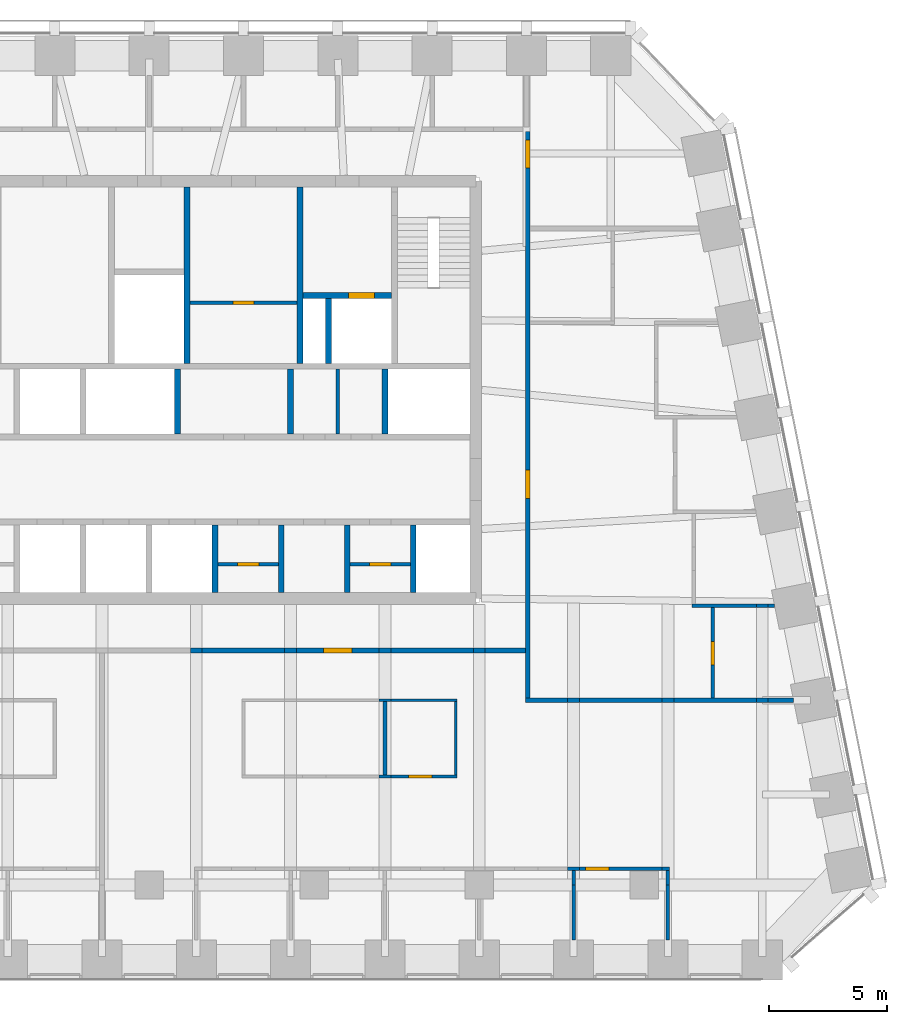
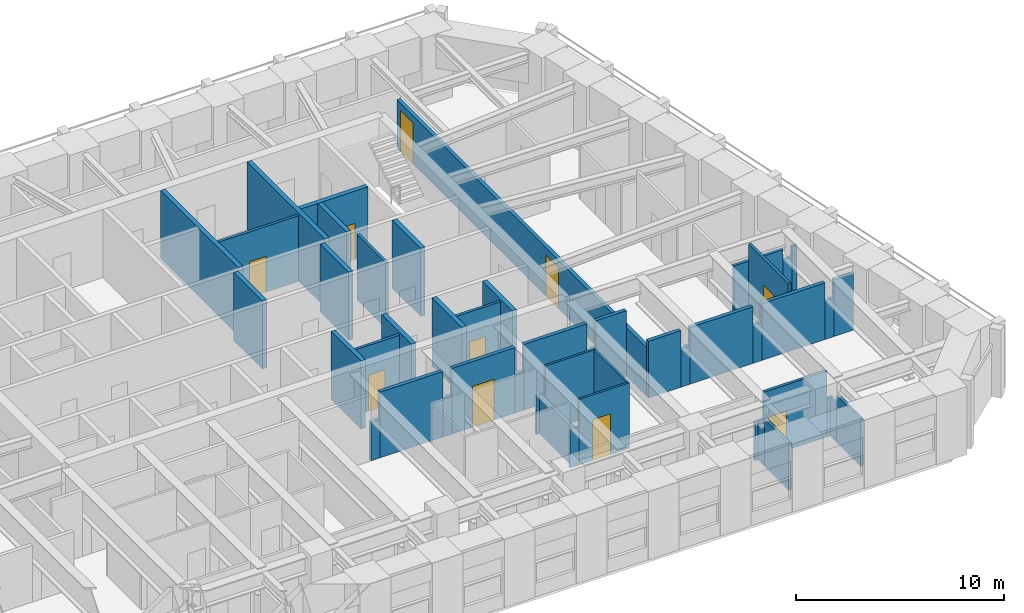
# One storey, part 8 of 13: 48 walls, 10 doors, 10 openings.
"""IFC4 building model written with IfcOpenShell, lengths in metres."""

from ifc_helpers import new_model, si_unit, direction, frame, frame_2d, origin, place, context, subcontext, project, spatial, rectangle, extrude, material, layer, layer_set, type_object, element, fill, save


model = new_model("IFC4")

# Units and contexts
model_context = context("Model", 3, precision=1e-05, world=origin(), true_north=direction((0.0, 1.0)))
body_context = subcontext(model_context, "Body", "Model", "MODEL_VIEW")
ifc_project = project(units=[si_unit("LENGTHUNIT", "METRE"), si_unit("AREAUNIT", "SQUARE_METRE"), si_unit("VOLUMEUNIT", "CUBIC_METRE"), si_unit("PLANEANGLEUNIT", "RADIAN"), si_unit("MASSUNIT", "GRAM", prefix="KILO")], contexts=[model_context])

# Site, building, storey
site_placement = place(None, origin())
site = spatial("IfcSite", under=ifc_project, at=site_placement, CompositionType="ELEMENT")
building_placement = place(site_placement, origin())
building = spatial("IfcBuilding", under=site, at=building_placement, Name="Isbrekke Arena Tower", CompositionType="ELEMENT")
storey_placement = place(building_placement, frame((0.0, 0.0, 280.0)))
storey = spatial("IfcBuildingStorey", under=building, at=storey_placement, Name="L65", CompositionType="ELEMENT", Elevation=280.0)

# Walls
ifc_material_1 = material(Name="Concrete B45 (C45/55)", Category="concrete")
ifc_layer_1 = layer(ifc_material_1, 0.25)
ifc_layer_set_1 = layer_set([ifc_layer_1], Name="CW6 SHAFT WALL 250")
wall_type_1 = type_object("IfcWallType", Name="CW6 SHAFT WALL 250", PredefinedType="SHEAR", material=ifc_layer_set_1)
for number, where, z_axis, x_axis, name in (
    (1, (2.800048828125, 6.39990234375, 0.0), (0.0, 0.0, 1.0), (0.0, 1.0, 0.0), "Core wall SS06 L65"),
    (2, (5.60009765625, 6.39990234375, 0.0), (0.0, 0.0, 1.0), (0.0, 1.0, 0.0), "Core wall SS07 L65"),
    (3, (8.39990234375, 6.39990234375, 0.0), (0.0, 0.0, 1.0), (0.0, 1.0, 0.0), "Core wall SS08 L65"),
    (4, (11.199951171875, 6.39990234375, 0.0), (0.0, 0.0, 1.0), (0.0, 1.0, 0.0), "Core wall SS09 L65"),
):
    element("IfcWall", number, at=place(storey_placement, frame(where, z_axis=z_axis, x_axis=x_axis)), inside=storey, type_object=wall_type_1, Name=name, PredefinedType="SHEAR", context=body_context, shape_type="SweptSolid", body=[
        extrude(rectangle(XDim=2.875, YDim=0.25, at=frame_2d((1.4375, 0.0))), origin(), (0.0, 0.0, 1.0), 4.0),
    ])
for number, where, z_axis, x_axis, name in (
    (5, (1.199951171875, 13.125, 0.0), (0.0, 0.0, 1.0), (0.0, 1.0, 0.0), "Core wall SN05 L65"),
    (6, (6.0, 13.125, 0.0), (0.0, 0.0, 1.0), (0.0, 1.0, 0.0), "Core wall SN06 L65"),
    (7, (10.0, 13.125, 0.0), (0.0, 0.0, 1.0), (0.0, 1.0, 0.0), "Core wall SN07 L65"),
):
    element("IfcWall", number, at=place(storey_placement, frame(where, z_axis=z_axis, x_axis=x_axis)), inside=storey, type_object=wall_type_1, Name=name, PredefinedType="SHEAR", context=body_context, shape_type="SweptSolid", body=[
        extrude(rectangle(XDim=2.75, YDim=0.25, at=frame_2d((1.375, 0.0))), origin(), (0.0, 0.0, 1.0), 4.0),
    ])
for number, where, z_axis, x_axis, name in (
    (8, (1.60009765625, 16.125, 0.0), (0.0, 0.0, 1.0), (0.0, 1.0, 0.0), "Core wall NV04 L65"),
    (9, (6.39990234375, 16.125, 0.0), (0.0, 0.0, 1.0), (0.0, 1.0, 0.0), "Core wall NV05 L65"),
):
    element("IfcWall", number, at=place(storey_placement, frame(where, z_axis=z_axis, x_axis=x_axis)), inside=storey, type_object=wall_type_1, Name=name, PredefinedType="SHEAR", context=body_context, shape_type="SweptSolid", body=[
        extrude(rectangle(XDim=7.47509765625, YDim=0.25, at=frame_2d((3.737548828125, 0.0))), origin(), (0.0, 0.0, 1.0), 4.0),
    ])

# Wall, opening, door
wall_1_placement = place(storey_placement, frame((6.52490234375, 19.0, 0.0), z_axis=(0.0, 0.0, 1.0), x_axis=(1.0, 0.0, 0.0)))
wall_1 = element("IfcWall", 10, at=wall_1_placement, inside=storey, type_object=wall_type_1, Name="Core wall NFE L65", PredefinedType="SHEAR", context=body_context, shape_type="SweptSolid", body=[
    extrude(rectangle(XDim=3.75, YDim=0.25, at=frame_2d((1.875, 0.0))), origin(), (0.0, 0.0, 1.0), 4.0),
])
opening_1_placement = place(wall_1_placement, frame((1.925048828125, 0.0, 0.0)))
opening_1 = element("IfcOpeningElement", 11, at=opening_1_placement, cuts=wall_1, Name="Opening LD2", PredefinedType="OPENING", context=body_context, shape_type="SweptSolid", body=[
    extrude(rectangle(XDim=1.10009765625, YDim=2.10009765625, at=frame_2d((0.550048828125, 1.050048828125))), frame((0.0, 0.139892578125, 0.0), z_axis=(0.0, -1.0, 0.0), x_axis=(1.0, 0.0, 0.0)), (0.0, 0.0, 1.0), 0.27978515625),
])
ifc_material_2 = material(Name="Stainless steel lift landing door", Category="steel")
door_type_1 = type_object("IfcDoorType", Name="LD2 FIRE-FIGHTING LIFT LANDING DOOR 1100 x 2100", OperationType="SLIDING_TO_RIGHT", PredefinedType="DOOR", material=ifc_material_2)
door_1_placement = place(opening_1_placement, origin())
door_1 = element("IfcDoor", 12, at=door_1_placement, inside=storey, type_object=door_type_1, Name="LD2 lift landing door LF L65", OperationType="SLIDING_TO_RIGHT", OverallHeight=2.10009765625, OverallWidth=1.10009765625, PredefinedType="DOOR", context=body_context, shape_type="SweptSolid", body=[
    extrude(rectangle(XDim=1.10009765625, YDim=2.10009765625, at=frame_2d((0.550048828125, 1.050048828125))), frame((0.0, 0.124755859375, 0.0), z_axis=(0.0, -1.0, 0.0), x_axis=(1.0, 0.0, 0.0)), (0.0, 0.0, 1.0), 0.24951171875),
])
fill(opening_1, door_1)

# Walls
wall_2_placement = place(storey_placement, frame((7.60009765625, 16.125, 0.0), z_axis=(0.0, 0.0, 1.0), x_axis=(0.0, 1.0, 0.0)))
element("IfcWall", 13, at=wall_2_placement, inside=storey, type_object=wall_type_1, Name="Core wall NFS2 L65", PredefinedType="SHEAR", context=body_context, shape_type="SweptSolid", body=[
    extrude(rectangle(XDim=2.75, YDim=0.25, at=frame_2d((1.375, 0.0))), origin(), (0.0, 0.0, 1.0), 4.0),
])
ifc_material_3 = material(Name="Gypsum board partition on steel studs", Category="steel")
ifc_layer_2 = layer(ifc_material_3, 0.14990234375)
ifc_layer_set_2 = layer_set([ifc_layer_2], Name="IW1 PARTITION 150")
wall_type_2 = type_object("IfcWallType", Name="IW1 PARTITION 150", PredefinedType="PARTITIONING", material=ifc_layer_set_2)
wall_3_placement = place(storey_placement, frame((17.75, -5.300048828125, 0.0), z_axis=(0.0, 0.0, 1.0), x_axis=(1.0, 0.0, 0.0)))
element("IfcWall", 14, at=wall_3_placement, inside=storey, type_object=wall_type_2, Name="IW1 partition 150 L65", PredefinedType="PARTITIONING", context=body_context, shape_type="SweptSolid", body=[
    extrude(rectangle(XDim=0.5, YDim=0.14990234375, at=frame_2d((0.25, 0.0))), origin(), (0.0, 0.0, 1.0), 2.25),
])

# Wall, opening, door
wall_4_placement = place(storey_placement, frame((18.25, -5.300048828125, 0.0), z_axis=(0.0, 0.0, 1.0), x_axis=(1.0, 0.0, 0.0)))
wall_4 = element("IfcWall", 15, at=wall_4_placement, inside=storey, type_object=wall_type_2, Name="IW1 partition 150 L65", PredefinedType="PARTITIONING", context=body_context, shape_type="SweptSolid", body=[
    extrude(rectangle(XDim=3.5, YDim=0.14990234375, at=frame_2d((1.75, 0.0))), origin(), (0.0, 0.0, 1.0), 3.85009765625),
])
opening_2_placement = place(wall_4_placement, frame((0.25, 0.0, 0.0)))
opening_2 = element("IfcOpeningElement", 16, at=opening_2_placement, cuts=wall_4, Name="Opening D10", PredefinedType="OPENING", context=body_context, shape_type="SweptSolid", body=[
    extrude(rectangle(XDim=1.0, YDim=2.300048828125, at=frame_2d((0.5, 1.14990234375))), frame((0.0, 0.08984375, 0.0), z_axis=(0.0, -1.0, 0.0), x_axis=(1.0, 0.0, 0.0)), (0.0, 0.0, 1.0), 0.1796875),
])
ifc_material_4 = material(Name="Timber door", Category="wood")
door_type_2 = type_object("IfcDoorType", Name="D10 OFFICE DOOR 1000 x 2300", OperationType="SINGLE_SWING_LEFT", PredefinedType="DOOR", material=ifc_material_4)
door_2_placement = place(opening_2_placement, origin())
door_2 = element("IfcDoor", 17, at=door_2_placement, inside=storey, type_object=door_type_2, Name="D10 office door L65", OperationType="SINGLE_SWING_LEFT", OverallHeight=2.300048828125, OverallWidth=1.0, PredefinedType="DOOR", context=body_context, shape_type="SweptSolid", body=[
    extrude(rectangle(XDim=1.0, YDim=2.300048828125, at=frame_2d((0.5, 1.14990234375))), frame((0.0, 0.07470703125, 0.0), z_axis=(0.0, -1.0, 0.0), x_axis=(1.0, 0.0, 0.0)), (0.0, 0.0, 1.0), 0.1494140625),
])
fill(opening_2, door_2)

# Walls
wall_5_placement = place(storey_placement, frame((21.75, -5.300048828125, 0.0), z_axis=(0.0, 0.0, 1.0), x_axis=(1.0, 0.0, 0.0)))
element("IfcWall", 18, at=wall_5_placement, inside=storey, type_object=wall_type_2, Name="IW1 partition 150 L65", PredefinedType="PARTITIONING", context=body_context, shape_type="SweptSolid", body=[
    extrude(rectangle(XDim=0.324951171875, YDim=0.14990234375, at=frame_2d((0.16259765625, 0.0))), origin(), (0.0, 0.0, 1.0), 2.25),
])
wall_6_placement = place(storey_placement, frame((23.02490234375, 5.840087890625, 0.0), z_axis=(0.0, 0.0, 1.0), x_axis=(1.0, 0.0, 0.0)))
element("IfcWall", 19, at=wall_6_placement, inside=storey, type_object=wall_type_2, Name="IW1 partition 150 L65", PredefinedType="PARTITIONING", context=body_context, shape_type="SweptSolid", body=[
    extrude(rectangle(XDim=2.72509765625, YDim=0.14990234375, at=frame_2d((1.362548828125, 0.0))), origin(), (0.0, 0.0, 1.0), 2.842041015625),
])
wall_7_placement = place(storey_placement, frame((25.75, 5.840087890625, 0.0), z_axis=(0.0, 0.0, 1.0), x_axis=(1.0, 0.0, 0.0)))
element("IfcWall", 20, at=wall_7_placement, inside=storey, type_object=wall_type_2, Name="IW1 partition 150 L65", PredefinedType="PARTITIONING", context=body_context, shape_type="SweptSolid", body=[
    extrude(rectangle(XDim=0.5, YDim=0.14990234375, at=frame_2d((0.25, 0.0))), origin(), (0.0, 0.0, 1.0), 2.25),
])
wall_8_placement = place(storey_placement, frame((26.25, 5.840087890625, 0.0), z_axis=(0.0, 0.0, 1.0), x_axis=(1.0, 0.0, 0.0)))
element("IfcWall", 21, at=wall_8_placement, inside=storey, type_object=wall_type_2, Name="IW1 partition 150 L65", PredefinedType="PARTITIONING", context=body_context, shape_type="SweptSolid", body=[
    extrude(rectangle(XDim=0.273681640625, YDim=0.14990234375, at=frame_2d((0.13671875, 0.0))), origin(), (0.0, 0.0, 1.0), 2.842041015625),
])
wall_9_placement = place(storey_placement, frame((18.0, -8.324951171875, 0.0), z_axis=(0.0, 0.0, 1.0), x_axis=(0.0, 1.0, 0.0)))
element("IfcWall", 22, at=wall_9_placement, inside=storey, type_object=wall_type_2, Name="IW1 partition 150 L65", PredefinedType="PARTITIONING", context=body_context, shape_type="SweptSolid", body=[
    extrude(rectangle(XDim=2.324951171875, YDim=0.14990234375, at=frame_2d((1.16259765625, 0.0))), origin(), (0.0, 0.0, 1.0), 2.75),
])
wall_10_placement = place(storey_placement, frame((18.0, -6.0, 0.0), z_axis=(0.0, 0.0, 1.0), x_axis=(0.0, 1.0, 0.0)))
element("IfcWall", 23, at=wall_10_placement, inside=storey, type_object=wall_type_2, Name="IW1 partition 150 L65", PredefinedType="PARTITIONING", context=body_context, shape_type="SweptSolid", body=[
    extrude(rectangle(XDim=0.625, YDim=0.14990234375, at=frame_2d((0.3125, 0.0))), origin(), (0.0, 0.0, 1.0), 2.25),
])
wall_11_placement = place(storey_placement, frame((22.0, -8.324951171875, 0.0), z_axis=(0.0, 0.0, 1.0), x_axis=(0.0, 1.0, 0.0)))
element("IfcWall", 24, at=wall_11_placement, inside=storey, type_object=wall_type_2, Name="IW1 partition 150 L65", PredefinedType="PARTITIONING", context=body_context, shape_type="SweptSolid", body=[
    extrude(rectangle(XDim=2.324951171875, YDim=0.14990234375, at=frame_2d((1.16259765625, 0.0))), origin(), (0.0, 0.0, 1.0), 2.75),
])
wall_12_placement = place(storey_placement, frame((22.0, -6.0, 0.0), z_axis=(0.0, 0.0, 1.0), x_axis=(0.0, 1.0, 0.0)))
element("IfcWall", 25, at=wall_12_placement, inside=storey, type_object=wall_type_2, Name="IW1 partition 150 L65", PredefinedType="PARTITIONING", context=body_context, shape_type="SweptSolid", body=[
    extrude(rectangle(XDim=0.625, YDim=0.14990234375, at=frame_2d((0.3125, 0.0))), origin(), (0.0, 0.0, 1.0), 2.25),
])

# Wall, opening, door
wall_13_placement = place(storey_placement, frame((23.89990234375, 1.93994140625, 0.0), z_axis=(0.0, 0.0, 1.0), x_axis=(0.0, 1.0, 0.0)))
wall_13 = element("IfcWall", 26, at=wall_13_placement, inside=storey, type_object=wall_type_2, Name="IW1 partition 150 L65", PredefinedType="PARTITIONING", context=body_context, shape_type="SweptSolid", body=[
    extrude(rectangle(XDim=3.824951171875, YDim=0.14990234375, at=frame_2d((1.91259765625, 0.0))), origin(), (0.0, 0.0, 1.0), 3.85009765625),
])
opening_3_placement = place(wall_13_placement, frame((1.39990234375, 0.0, 0.0)))
opening_3 = element("IfcOpeningElement", 27, at=opening_3_placement, cuts=wall_13, Name="Opening D10", PredefinedType="OPENING", context=body_context, shape_type="SweptSolid", body=[
    extrude(rectangle(XDim=1.0, YDim=2.300048828125, at=frame_2d((0.5, 1.14990234375))), frame((0.0, 0.08984375, 0.0), z_axis=(0.0, -1.0, 0.0), x_axis=(1.0, 0.0, 0.0)), (0.0, 0.0, 1.0), 0.1796875),
])
door_3_placement = place(opening_3_placement, origin())
door_3 = element("IfcDoor", 28, at=door_3_placement, inside=storey, type_object=door_type_2, Name="D10 office door L65", OperationType="SINGLE_SWING_LEFT", OverallHeight=2.300048828125, OverallWidth=1.0, PredefinedType="DOOR", context=body_context, shape_type="SweptSolid", body=[
    extrude(rectangle(XDim=1.0, YDim=2.300048828125, at=frame_2d((0.5, 1.14990234375))), frame((0.0, 0.07470703125, 0.0), z_axis=(0.0, -1.0, 0.0), x_axis=(1.0, 0.0, 0.0)), (0.0, 0.0, 1.0), 0.1494140625),
])
fill(opening_3, door_3)

# Wall
ifc_material_5 = material(Name="Frameless glazed partition, laminated acoustic glass", Category="glass")
ifc_layer_3 = layer(ifc_material_5, 0.1201171875)
ifc_layer_set_3 = layer_set([ifc_layer_3], Name="IW2 GLAZED PARTITION 120")
wall_type_3 = type_object("IfcWallType", Name="IW2 GLAZED PARTITION 120", PredefinedType="PARTITIONING", material=ifc_layer_set_3)
wall_14_placement = place(storey_placement, frame((9.75, -1.39990234375, 0.0), z_axis=(0.0, 0.0, 1.0), x_axis=(1.0, 0.0, 0.0)))
element("IfcWall", 29, at=wall_14_placement, inside=storey, type_object=wall_type_3, Name="IW2 glazed partition 120 L65", PredefinedType="PARTITIONING", context=body_context, shape_type="SweptSolid", body=[
    extrude(rectangle(XDim=0.5, YDim=0.1201171875, at=frame_2d((0.25, 0.0))), origin(), (0.0, 0.0, 1.0), 2.25),
])

# Wall, opening, door
wall_15_placement = place(storey_placement, frame((10.25, -1.39990234375, 0.0), z_axis=(0.0, 0.0, 1.0), x_axis=(1.0, 0.0, 0.0)))
wall_15 = element("IfcWall", 30, at=wall_15_placement, inside=storey, type_object=wall_type_3, Name="IW2 glazed partition 120 L65", PredefinedType="PARTITIONING", context=body_context, shape_type="SweptSolid", body=[
    extrude(rectangle(XDim=2.81005859375, YDim=0.1201171875, at=frame_2d((1.405029296875, 0.0))), origin(), (0.0, 0.0, 1.0), 3.85009765625),
])
opening_4_placement = place(wall_15_placement, frame((0.75, 0.0, 0.0)))
opening_4 = element("IfcOpeningElement", 31, at=opening_4_placement, cuts=wall_15, Name="Opening D11", PredefinedType="OPENING", context=body_context, shape_type="SweptSolid", body=[
    extrude(rectangle(XDim=1.0, YDim=2.39990234375, at=frame_2d((0.5, 1.199951171875))), frame((0.0, 0.074951171875, 0.0), z_axis=(0.0, -1.0, 0.0), x_axis=(1.0, 0.0, 0.0)), (0.0, 0.0, 1.0), 0.14990234375),
])
ifc_material_6 = material(Name="Frameless glazed door", Category="glass")
door_type_3 = type_object("IfcDoorType", Name="D11 GLAZED MEETING ROOM DOOR 1000 x 2400", OperationType="SINGLE_SWING_RIGHT", PredefinedType="DOOR", material=ifc_material_6)
door_4_placement = place(opening_4_placement, origin())
door_4 = element("IfcDoor", 32, at=door_4_placement, inside=storey, type_object=door_type_3, Name="D11 quiet room door L65", OperationType="SINGLE_SWING_RIGHT", OverallHeight=2.39990234375, OverallWidth=1.0, PredefinedType="DOOR", context=body_context, shape_type="SweptSolid", body=[
    extrude(rectangle(XDim=1.0, YDim=2.39990234375, at=frame_2d((0.5, 1.199951171875))), frame((0.0, 0.059814453125, 0.0), z_axis=(0.0, -1.0, 0.0), x_axis=(1.0, 0.0, 0.0)), (0.0, 0.0, 1.0), 0.11962890625),
])
fill(opening_4, door_4)

# Walls
wall_16_placement = place(storey_placement, frame((9.75, 1.840087890625, 0.0), z_axis=(0.0, 0.0, 1.0), x_axis=(1.0, 0.0, 0.0)))
element("IfcWall", 33, at=wall_16_placement, inside=storey, type_object=wall_type_3, Name="IW2 glazed partition 120 L65", PredefinedType="PARTITIONING", context=body_context, shape_type="SweptSolid", body=[
    extrude(rectangle(XDim=0.5, YDim=0.1201171875, at=frame_2d((0.25, 0.0))), origin(), (0.0, 0.0, 1.0), 2.25),
])
wall_17_placement = place(storey_placement, frame((10.25, 1.840087890625, 0.0), z_axis=(0.0, 0.0, 1.0), x_axis=(1.0, 0.0, 0.0)))
element("IfcWall", 34, at=wall_17_placement, inside=storey, type_object=wall_type_3, Name="IW2 glazed partition 120 L65", PredefinedType="PARTITIONING", context=body_context, shape_type="SweptSolid", body=[
    extrude(rectangle(XDim=2.81005859375, YDim=0.1201171875, at=frame_2d((1.405029296875, 0.0))), origin(), (0.0, 0.0, 1.0), 3.85009765625),
])
wall_18_placement = place(storey_placement, frame((13.0, -1.340087890625, 0.0), z_axis=(0.0, 0.0, 1.0), x_axis=(0.0, 1.0, 0.0)))
element("IfcWall", 35, at=wall_18_placement, inside=storey, type_object=wall_type_3, Name="IW2 glazed partition 120 L65", PredefinedType="PARTITIONING", context=body_context, shape_type="SweptSolid", body=[
    extrude(rectangle(XDim=3.1201171875, YDim=0.1201171875, at=frame_2d((1.56005859375, 0.0))), origin(), (0.0, 0.0, 1.0), 3.85009765625),
])
ifc_material_7 = material(Name="Gypsum board fire-cell wall on steel studs, two layers each side", Category="steel")
ifc_layer_4 = layer(ifc_material_7, 0.199951171875)
ifc_layer_set_4 = layer_set([ifc_layer_4], Name="IW3 FIRE-CELL WALL 200")
wall_type_4 = type_object("IfcWallType", Name="IW3 FIRE-CELL WALL 200", PredefinedType="PARTITIONING", material=ifc_layer_set_4)
wall_19_placement = place(storey_placement, frame((15.949951171875, 1.840087890625, 0.0), z_axis=(0.0, 0.0, 1.0), x_axis=(1.0, 0.0, 0.0)))
element("IfcWall", 36, at=wall_19_placement, inside=storey, type_object=wall_type_4, Name="IW3 fire-cell wall 200 L65", PredefinedType="PARTITIONING", context=body_context, shape_type="SweptSolid", body=[
    extrude(rectangle(XDim=1.800048828125, YDim=0.199951171875, at=frame_2d((0.89990234375, 0.0))), origin(), (0.0, 0.0, 1.0), 3.325927734375),
])
wall_20_placement = place(storey_placement, frame((17.75, 1.840087890625, 0.0), z_axis=(0.0, 0.0, 1.0), x_axis=(1.0, 0.0, 0.0)))
element("IfcWall", 37, at=wall_20_placement, inside=storey, type_object=wall_type_4, Name="IW3 fire-cell wall 200 L65", PredefinedType="PARTITIONING", context=body_context, shape_type="SweptSolid", body=[
    extrude(rectangle(XDim=0.5, YDim=0.199951171875, at=frame_2d((0.25, 0.0))), origin(), (0.0, 0.0, 1.0), 2.25),
])
wall_21_placement = place(storey_placement, frame((18.25, 1.840087890625, 0.0), z_axis=(0.0, 0.0, 1.0), x_axis=(1.0, 0.0, 0.0)))
element("IfcWall", 38, at=wall_21_placement, inside=storey, type_object=wall_type_4, Name="IW3 fire-cell wall 200 L65", PredefinedType="PARTITIONING", context=body_context, shape_type="SweptSolid", body=[
    extrude(rectangle(XDim=3.5, YDim=0.199951171875, at=frame_2d((1.75, 0.0))), origin(), (0.0, 0.0, 1.0), 3.325927734375),
])
wall_22_placement = place(storey_placement, frame((21.75, 1.840087890625, 0.0), z_axis=(0.0, 0.0, 1.0), x_axis=(1.0, 0.0, 0.0)))
element("IfcWall", 39, at=wall_22_placement, inside=storey, type_object=wall_type_4, Name="IW3 fire-cell wall 200 L65", PredefinedType="PARTITIONING", context=body_context, shape_type="SweptSolid", body=[
    extrude(rectangle(XDim=0.5, YDim=0.199951171875, at=frame_2d((0.25, 0.0))), origin(), (0.0, 0.0, 1.0), 2.25),
])
wall_23_placement = place(storey_placement, frame((22.25, 1.840087890625, 0.0), z_axis=(0.0, 0.0, 1.0), x_axis=(1.0, 0.0, 0.0)))
element("IfcWall", 40, at=wall_23_placement, inside=storey, type_object=wall_type_4, Name="IW3 fire-cell wall 200 L65", PredefinedType="PARTITIONING", context=body_context, shape_type="SweptSolid", body=[
    extrude(rectangle(XDim=3.5, YDim=0.199951171875, at=frame_2d((1.75, 0.0))), origin(), (0.0, 0.0, 1.0), 3.325927734375),
])
wall_24_placement = place(storey_placement, frame((25.75, 1.840087890625, 0.0), z_axis=(0.0, 0.0, 1.0), x_axis=(1.0, 0.0, 0.0)))
element("IfcWall", 41, at=wall_24_placement, inside=storey, type_object=wall_type_4, Name="IW3 fire-cell wall 200 L65", PredefinedType="PARTITIONING", context=body_context, shape_type="SweptSolid", body=[
    extrude(rectangle(XDim=0.5, YDim=0.199951171875, at=frame_2d((0.25, 0.0))), origin(), (0.0, 0.0, 1.0), 2.25),
])
wall_25_placement = place(storey_placement, frame((26.25, 1.840087890625, 0.0), z_axis=(0.0, 0.0, 1.0), x_axis=(1.0, 0.0, 0.0)))
element("IfcWall", 42, at=wall_25_placement, inside=storey, type_object=wall_type_4, Name="IW3 fire-cell wall 200 L65", PredefinedType="PARTITIONING", context=body_context, shape_type="SweptSolid", body=[
    extrude(rectangle(XDim=1.07373046875, YDim=0.199951171875, at=frame_2d((0.536865234375, 0.0))), origin(), (0.0, 0.0, 1.0), 3.325927734375),
])
wall_26_placement = place(storey_placement, frame((1.75, 3.949951171875, 0.0), z_axis=(0.0, 0.0, 1.0), x_axis=(1.0, 0.0, 0.0)))
element("IfcWall", 43, at=wall_26_placement, inside=storey, type_object=wall_type_4, Name="IW3 fire-cell wall 200 L65", PredefinedType="PARTITIONING", context=body_context, shape_type="SweptSolid", body=[
    extrude(rectangle(XDim=0.5, YDim=0.199951171875, at=frame_2d((0.25, 0.0))), origin(), (0.0, 0.0, 1.0), 2.25),
])
wall_27_placement = place(storey_placement, frame((2.25, 3.949951171875, 0.0), z_axis=(0.0, 0.0, 1.0), x_axis=(1.0, 0.0, 0.0)))
element("IfcWall", 44, at=wall_27_placement, inside=storey, type_object=wall_type_4, Name="IW3 fire-cell wall 200 L65", PredefinedType="PARTITIONING", context=body_context, shape_type="SweptSolid", body=[
    extrude(rectangle(XDim=3.5, YDim=0.199951171875, at=frame_2d((1.75, 0.0))), origin(), (0.0, 0.0, 1.0), 3.85009765625),
])
wall_28_placement = place(storey_placement, frame((5.75, 3.949951171875, 0.0), z_axis=(0.0, 0.0, 1.0), x_axis=(1.0, 0.0, 0.0)))
element("IfcWall", 45, at=wall_28_placement, inside=storey, type_object=wall_type_4, Name="IW3 fire-cell wall 200 L65", PredefinedType="PARTITIONING", context=body_context, shape_type="SweptSolid", body=[
    extrude(rectangle(XDim=0.5, YDim=0.199951171875, at=frame_2d((0.25, 0.0))), origin(), (0.0, 0.0, 1.0), 2.25),
])

# Wall, opening, door
wall_29_placement = place(storey_placement, frame((6.25, 3.949951171875, 0.0), z_axis=(0.0, 0.0, 1.0), x_axis=(1.0, 0.0, 0.0)))
wall_29 = element("IfcWall", 46, at=wall_29_placement, inside=storey, type_object=wall_type_4, Name="IW3 fire-cell wall 200 L65", PredefinedType="PARTITIONING", context=body_context, shape_type="SweptSolid", body=[
    extrude(rectangle(XDim=3.5, YDim=0.199951171875, at=frame_2d((1.75, 0.0))), origin(), (0.0, 0.0, 1.0), 3.85009765625),
])
opening_5_placement = place(wall_29_placement, frame((1.14990234375, 0.0, 0.0)))
opening_5 = element("IfcOpeningElement", 47, at=opening_5_placement, cuts=wall_29, Name="Opening D12", PredefinedType="OPENING", context=body_context, shape_type="SweptSolid", body=[
    extrude(rectangle(XDim=1.199951171875, YDim=2.39990234375, at=frame_2d((0.60009765625, 1.199951171875))), frame((0.0, 0.11474609375, 0.0), z_axis=(0.0, -1.0, 0.0), x_axis=(1.0, 0.0, 0.0)), (0.0, 0.0, 1.0), 0.229736328125),
])
ifc_material_8 = material(Name="Timber fire door with vision panel", Category="wood")
door_type_4 = type_object("IfcDoorType", Name="D12 SUITE ENTRANCE DOOR 1200 x 2400", OperationType="SINGLE_SWING_LEFT", PredefinedType="DOOR", material=ifc_material_8)
door_5_placement = place(opening_5_placement, origin())
door_5 = element("IfcDoor", 48, at=door_5_placement, inside=storey, type_object=door_type_4, Name="D12 suite entrance SE door L65", OperationType="SINGLE_SWING_LEFT", OverallHeight=2.39990234375, OverallWidth=1.199951171875, PredefinedType="DOOR", context=body_context, shape_type="SweptSolid", body=[
    extrude(rectangle(XDim=1.199951171875, YDim=2.39990234375, at=frame_2d((0.60009765625, 1.199951171875))), frame((0.0, 0.099609375, 0.0), z_axis=(0.0, -1.0, 0.0), x_axis=(1.0, 0.0, 0.0)), (0.0, 0.0, 1.0), 0.199462890625),
])
fill(opening_5, door_5)

# Walls
wall_30_placement = place(storey_placement, frame((9.75, 3.949951171875, 0.0), z_axis=(0.0, 0.0, 1.0), x_axis=(1.0, 0.0, 0.0)))
element("IfcWall", 49, at=wall_30_placement, inside=storey, type_object=wall_type_4, Name="IW3 fire-cell wall 200 L65", PredefinedType="PARTITIONING", context=body_context, shape_type="SweptSolid", body=[
    extrude(rectangle(XDim=0.5, YDim=0.199951171875, at=frame_2d((0.25, 0.0))), origin(), (0.0, 0.0, 1.0), 2.25),
])
wall_31_placement = place(storey_placement, frame((10.25, 3.949951171875, 0.0), z_axis=(0.0, 0.0, 1.0), x_axis=(1.0, 0.0, 0.0)))
element("IfcWall", 50, at=wall_31_placement, inside=storey, type_object=wall_type_4, Name="IW3 fire-cell wall 200 L65", PredefinedType="PARTITIONING", context=body_context, shape_type="SweptSolid", body=[
    extrude(rectangle(XDim=3.5, YDim=0.199951171875, at=frame_2d((1.75, 0.0))), origin(), (0.0, 0.0, 1.0), 3.85009765625),
])
wall_32_placement = place(storey_placement, frame((13.75, 3.949951171875, 0.0), z_axis=(0.0, 0.0, 1.0), x_axis=(1.0, 0.0, 0.0)))
element("IfcWall", 51, at=wall_32_placement, inside=storey, type_object=wall_type_4, Name="IW3 fire-cell wall 200 L65", PredefinedType="PARTITIONING", context=body_context, shape_type="SweptSolid", body=[
    extrude(rectangle(XDim=0.5, YDim=0.199951171875, at=frame_2d((0.25, 0.0))), origin(), (0.0, 0.0, 1.0), 2.25),
])
wall_33_placement = place(storey_placement, frame((14.25, 3.949951171875, 0.0), z_axis=(0.0, 0.0, 1.0), x_axis=(1.0, 0.0, 0.0)))
element("IfcWall", 52, at=wall_33_placement, inside=storey, type_object=wall_type_4, Name="IW3 fire-cell wall 200 L65", PredefinedType="PARTITIONING", context=body_context, shape_type="SweptSolid", body=[
    extrude(rectangle(XDim=1.699951171875, YDim=0.199951171875, at=frame_2d((0.85009765625, 0.0))), origin(), (0.0, 0.0, 1.0), 3.85009765625),
])

# Wall, openings, doors
wall_34_placement = place(storey_placement, frame((16.050048828125, 1.93994140625, 0.0), z_axis=(0.0, 0.0, 1.0), x_axis=(0.0, 1.0, 0.0)))
wall_34 = element("IfcWall", 53, at=wall_34_placement, inside=storey, type_object=wall_type_4, Name="IW3 fire-cell wall 200 L65", PredefinedType="PARTITIONING", context=body_context, shape_type="SweptSolid", body=[
    extrude(rectangle(XDim=24.010009765625, YDim=0.199951171875, at=frame_2d((12.0048828125, 0.0))), origin(), (0.0, 0.0, 1.0), 2.842041015625),
])
opening_6_placement = place(wall_34_placement, frame((8.4599609375, 0.0, 0.0)))
opening_6 = element("IfcOpeningElement", 54, at=opening_6_placement, cuts=wall_34, Name="Opening D12", PredefinedType="OPENING", context=body_context, shape_type="SweptSolid", body=[
    extrude(rectangle(XDim=1.199951171875, YDim=2.39990234375, at=frame_2d((0.60009765625, 1.199951171875))), frame((0.0, 0.11474609375, 0.0), z_axis=(0.0, -1.0, 0.0), x_axis=(1.0, 0.0, 0.0)), (0.0, 0.0, 1.0), 0.229736328125),
])
opening_7_placement = place(wall_34_placement, frame((22.4599609375, 0.0, 0.0)))
opening_7 = element("IfcOpeningElement", 55, at=opening_7_placement, cuts=wall_34, Name="Opening D12", PredefinedType="OPENING", context=body_context, shape_type="SweptSolid", body=[
    extrude(rectangle(XDim=1.199951171875, YDim=2.39990234375, at=frame_2d((0.60009765625, 1.199951171875))), frame((0.0, 0.11474609375, 0.0), z_axis=(0.0, -1.0, 0.0), x_axis=(1.0, 0.0, 0.0)), (0.0, 0.0, 1.0), 0.229736328125),
])
door_6_placement = place(opening_6_placement, origin())
door_6 = element("IfcDoor", 56, at=door_6_placement, inside=storey, type_object=door_type_4, Name="D12 suite entrance E door L65", OperationType="SINGLE_SWING_LEFT", OverallHeight=2.39990234375, OverallWidth=1.199951171875, PredefinedType="DOOR", context=body_context, shape_type="SweptSolid", body=[
    extrude(rectangle(XDim=1.199951171875, YDim=2.39990234375, at=frame_2d((0.60009765625, 1.199951171875))), frame((0.0, 0.099609375, 0.0), z_axis=(0.0, -1.0, 0.0), x_axis=(1.0, 0.0, 0.0)), (0.0, 0.0, 1.0), 0.199462890625),
])
fill(opening_6, door_6)
door_7_placement = place(opening_7_placement, origin())
door_7 = element("IfcDoor", 57, at=door_7_placement, inside=storey, type_object=door_type_4, Name="D12 suite entrance NCE door L65", OperationType="SINGLE_SWING_LEFT", OverallHeight=2.39990234375, OverallWidth=1.199951171875, PredefinedType="DOOR", context=body_context, shape_type="SweptSolid", body=[
    extrude(rectangle(XDim=1.199951171875, YDim=2.39990234375, at=frame_2d((0.60009765625, 1.199951171875))), frame((0.0, 0.099609375, 0.0), z_axis=(0.0, -1.0, 0.0), x_axis=(1.0, 0.0, 0.0)), (0.0, 0.0, 1.0), 0.199462890625),
])
fill(opening_7, door_7)

# Wall
ifc_material_9 = material(Name="Gypsum board acoustic partition on twin steel studs", Category="steel")
ifc_layer_5 = layer(ifc_material_9, 0.175048828125)
ifc_layer_set_5 = layer_set([ifc_layer_5], Name="IW4 ACOUSTIC PARTITION 175")
wall_type_5 = type_object("IfcWallType", Name="IW4 ACOUSTIC PARTITION 175", PredefinedType="PARTITIONING", material=ifc_layer_set_5)
wall_35_placement = place(storey_placement, frame((10.0, -1.340087890625, 0.0), z_axis=(0.0, 0.0, 1.0), x_axis=(0.0, 1.0, 0.0)))
element("IfcWall", 58, at=wall_35_placement, inside=storey, type_object=wall_type_5, Name="IW4 acoustic partition 175 L65", PredefinedType="PARTITIONING", context=body_context, shape_type="SweptSolid", body=[
    extrude(rectangle(XDim=3.1201171875, YDim=0.175048828125, at=frame_2d((1.56005859375, 0.0))), origin(), (0.0, 0.0, 1.0), 2.25),
])

# Wall, opening, door
ifc_material_10 = material(Name="Gypsum board fire-rated partition on steel studs, two layers each side", Category="steel")
ifc_layer_6 = layer(ifc_material_10, 0.14990234375)
ifc_layer_set_6 = layer_set([ifc_layer_6], Name="IW5 FIRE-RATED PARTITION 150")
wall_type_6 = type_object("IfcWallType", Name="IW5 FIRE-RATED PARTITION 150", PredefinedType="PARTITIONING", material=ifc_layer_set_6)
wall_36_placement = place(storey_placement, frame((1.72509765625, 18.699951171875, 0.0), z_axis=(0.0, 0.0, 1.0), x_axis=(1.0, 0.0, 0.0)))
wall_36 = element("IfcWall", 59, at=wall_36_placement, inside=storey, type_object=wall_type_6, Name="IW5 fire-rated partition L65 cleaner's store M", PredefinedType="PARTITIONING", context=body_context, shape_type="SweptSolid", body=[
    extrude(rectangle(XDim=4.5498046875, YDim=0.14990234375, at=frame_2d((2.27490234375, 0.0))), origin(), (0.0, 0.0, 1.0), 3.85009765625),
])
opening_8_placement = place(wall_36_placement, frame((1.824951171875, 0.0, 0.0)))
opening_8 = element("IfcOpeningElement", 60, at=opening_8_placement, cuts=wall_36, Name="Opening D5", PredefinedType="OPENING", context=body_context, shape_type="SweptSolid", body=[
    extrude(rectangle(XDim=0.89990234375, YDim=2.10009765625, at=frame_2d((0.449951171875, 1.050048828125))), frame((0.0, 0.08984375, 0.0), z_axis=(0.0, -1.0, 0.0), x_axis=(1.0, 0.0, 0.0)), (0.0, 0.0, 1.0), 0.1796875),
])
ifc_material_11 = material(Name="Steel fire door", Category="steel")
door_type_5 = type_object("IfcDoorType", Name="D5 SERVICE DOOR 900 x 2100", OperationType="SINGLE_SWING_LEFT", PredefinedType="DOOR", material=ifc_material_11)
door_8_placement = place(opening_8_placement, origin())
door_8 = element("IfcDoor", 61, at=door_8_placement, inside=storey, type_object=door_type_5, Name="D5 cleaner's store door L65", OperationType="SINGLE_SWING_LEFT", OverallHeight=2.10009765625, OverallWidth=0.89990234375, PredefinedType="DOOR", context=body_context, shape_type="SweptSolid", body=[
    extrude(rectangle(XDim=0.89990234375, YDim=2.10009765625, at=frame_2d((0.449951171875, 1.050048828125))), frame((0.0, 0.07470703125, 0.0), z_axis=(0.0, -1.0, 0.0), x_axis=(1.0, 0.0, 0.0)), (0.0, 0.0, 1.0), 0.1494140625),
])
fill(opening_8, door_8)

# Wall
wall_37_placement = place(storey_placement, frame((8.0, 13.125, 0.0), z_axis=(0.0, 0.0, 1.0), x_axis=(0.0, 1.0, 0.0)))
element("IfcWall", 62, at=wall_37_placement, inside=storey, type_object=wall_type_6, Name="IW5 fire-rated partition L65 core service rooms 1", PredefinedType="PARTITIONING", context=body_context, shape_type="SweptSolid", body=[
    extrude(rectangle(XDim=2.75, YDim=0.14990234375, at=frame_2d((1.375, 0.0))), origin(), (0.0, 0.0, 1.0), 3.85009765625),
])

# Wall, opening, door
wall_38_placement = place(storey_placement, frame((2.925048828125, 7.60009765625, 0.0), z_axis=(0.0, 0.0, 1.0), x_axis=(1.0, 0.0, 0.0)))
wall_38 = element("IfcWall", 63, at=wall_38_placement, inside=storey, type_object=wall_type_6, Name="IW5 fire-rated partition L65 core service rooms 5", PredefinedType="PARTITIONING", context=body_context, shape_type="SweptSolid", body=[
    extrude(rectangle(XDim=2.550048828125, YDim=0.14990234375, at=frame_2d((1.27490234375, 0.0))), origin(), (0.0, 0.0, 1.0), 3.85009765625),
])
opening_9_placement = place(wall_38_placement, frame((0.824951171875, 0.0, 0.0)))
opening_9 = element("IfcOpeningElement", 64, at=opening_9_placement, cuts=wall_38, Name="Opening D5", PredefinedType="OPENING", context=body_context, shape_type="SweptSolid", body=[
    extrude(rectangle(XDim=0.89990234375, YDim=2.10009765625, at=frame_2d((0.449951171875, 1.050048828125))), frame((0.0, 0.08984375, 0.0), z_axis=(0.0, -1.0, 0.0), x_axis=(1.0, 0.0, 0.0)), (0.0, 0.0, 1.0), 0.1796875),
])
door_9_placement = place(opening_9_placement, origin())
door_9 = element("IfcDoor", 65, at=door_9_placement, inside=storey, type_object=door_type_5, Name="D5 archive door L65", OperationType="SINGLE_SWING_LEFT", OverallHeight=2.10009765625, OverallWidth=0.89990234375, PredefinedType="DOOR", context=body_context, shape_type="SweptSolid", body=[
    extrude(rectangle(XDim=0.89990234375, YDim=2.10009765625, at=frame_2d((0.449951171875, 1.050048828125))), frame((0.0, 0.07470703125, 0.0), z_axis=(0.0, -1.0, 0.0), x_axis=(1.0, 0.0, 0.0)), (0.0, 0.0, 1.0), 0.1494140625),
])
fill(opening_9, door_9)

wall_39_placement = place(storey_placement, frame((8.52490234375, 7.60009765625, 0.0), z_axis=(0.0, 0.0, 1.0), x_axis=(1.0, 0.0, 0.0)))
wall_39 = element("IfcWall", 66, at=wall_39_placement, inside=storey, type_object=wall_type_6, Name="IW5 fire-rated partition L65 core service rooms 6", PredefinedType="PARTITIONING", context=body_context, shape_type="SweptSolid", body=[
    extrude(rectangle(XDim=2.550048828125, YDim=0.14990234375, at=frame_2d((1.27490234375, 0.0))), origin(), (0.0, 0.0, 1.0), 3.85009765625),
])
opening_10_placement = place(wall_39_placement, frame((0.824951171875, 0.0, 0.0)))
opening_10 = element("IfcOpeningElement", 67, at=opening_10_placement, cuts=wall_39, Name="Opening D5", PredefinedType="OPENING", context=body_context, shape_type="SweptSolid", body=[
    extrude(rectangle(XDim=0.89990234375, YDim=2.10009765625, at=frame_2d((0.449951171875, 1.050048828125))), frame((0.0, 0.08984375, 0.0), z_axis=(0.0, -1.0, 0.0), x_axis=(1.0, 0.0, 0.0)), (0.0, 0.0, 1.0), 0.1796875),
])
door_10_placement = place(opening_10_placement, origin())
door_10 = element("IfcDoor", 68, at=door_10_placement, inside=storey, type_object=door_type_5, Name="D5 tenant store door L65", OperationType="SINGLE_SWING_LEFT", OverallHeight=2.10009765625, OverallWidth=0.89990234375, PredefinedType="DOOR", context=body_context, shape_type="SweptSolid", body=[
    extrude(rectangle(XDim=0.89990234375, YDim=2.10009765625, at=frame_2d((0.449951171875, 1.050048828125))), frame((0.0, 0.07470703125, 0.0), z_axis=(0.0, -1.0, 0.0), x_axis=(1.0, 0.0, 0.0)), (0.0, 0.0, 1.0), 0.1494140625),
])
fill(opening_10, door_10)

save(model, "model.ifc")
